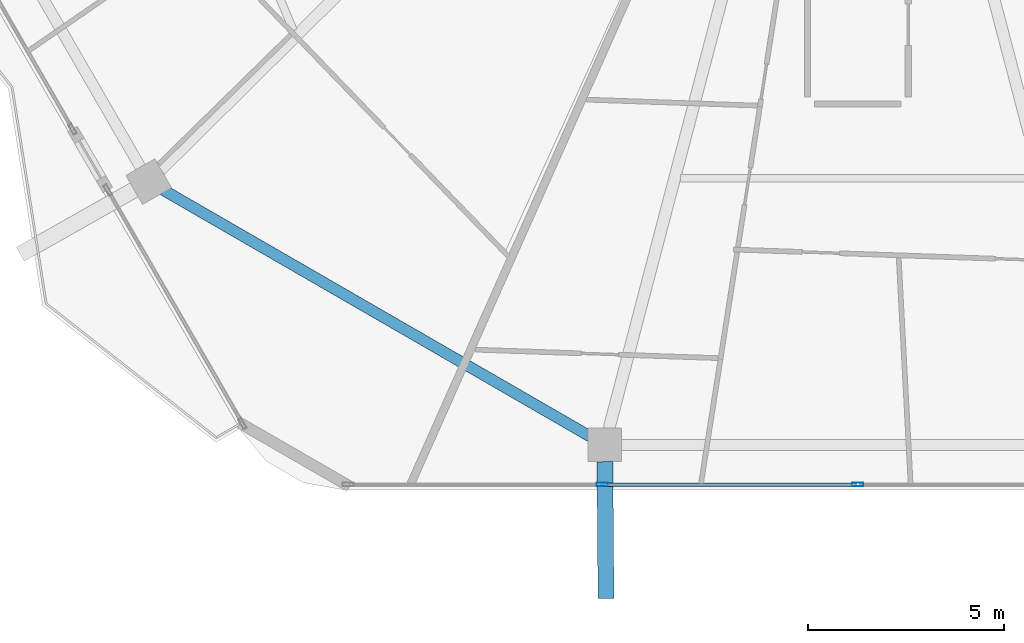
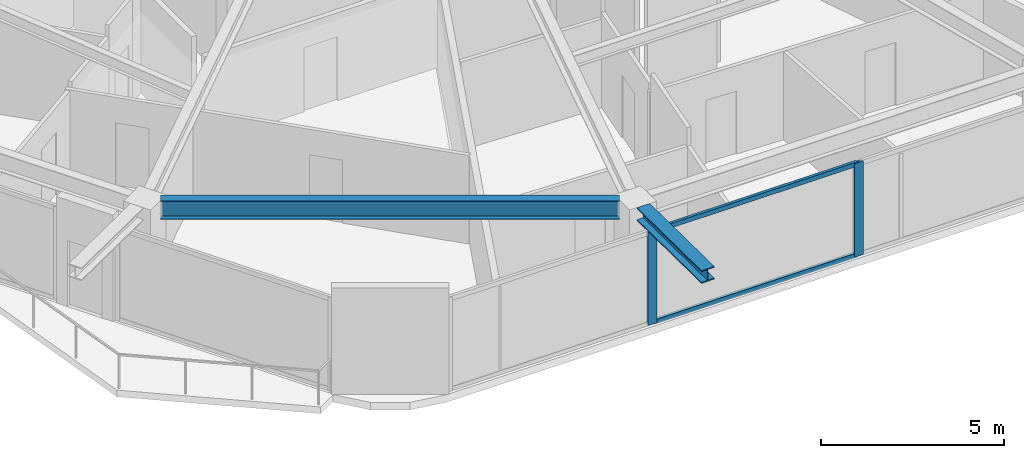
# One storey, part 3 of 26: 4 members, 2 beams, 1 element without a shape of its own.
"""IFC4 building model written with IfcOpenShell, lengths in metres."""

from ifc_helpers import new_model, si_unit, direction, frame, origin, origin_2d, place, context, subcontext, project, spatial, hollow_rectangle, i_section, extrude, material, material_profile, profile_set, type_object, element, aggregate, save


model = new_model("IFC4")

# Units and contexts
model_context = context("Model", 3, precision=1e-05, world=origin(), true_north=direction((0.0, 1.0)))
body_context = subcontext(model_context, "Body", "Model", "MODEL_VIEW")
ifc_project = project(units=[si_unit("LENGTHUNIT", "METRE"), si_unit("AREAUNIT", "SQUARE_METRE"), si_unit("VOLUMEUNIT", "CUBIC_METRE"), si_unit("PLANEANGLEUNIT", "RADIAN"), si_unit("MASSUNIT", "GRAM", prefix="KILO")], contexts=[model_context])

# Site, building, storey
site_placement = place(None, origin())
site = spatial("IfcSite", under=ifc_project, at=site_placement, CompositionType="ELEMENT")
building_placement = place(site_placement, origin())
building = spatial("IfcBuilding", under=site, at=building_placement, Name="Zuhravey Tower", CompositionType="ELEMENT")
storey_placement = place(building_placement, frame((0.0, 0.0, 295.800048828125)))
storey = spatial("IfcBuildingStorey", under=building, at=storey_placement, Name="L75", CompositionType="ELEMENT", Elevation=295.800048828125)

# Curtain wall, members
ifc_material_1 = material(Name="Thermally broken anodised aluminium", Category="aluminium")
curtain_wall_type = type_object("IfcCurtainWallType", Name="Zone 3-4 High-Rise Curtain Wall CW4", PredefinedType="NOTDEFINED", material=ifc_material_1)
curtain_wall_placement = place(storey_placement, origin())
curtain_wall = element("IfcCurtainWall", 1, at=curtain_wall_placement, inside=storey, type_object=curtain_wall_type, Name="L75 CW4 CW-L75-F5-1", PredefinedType="NOTDEFINED")
ifc_material_2 = material(Name="Anodised aluminium", Category="aluminium")
ifc_material_profile_1 = material_profile(ifc_material_2, hollow_rectangle(XDim=0.090087890625, YDim=0.284912109375, WallThickness=0.0048828125, at=origin_2d()), Name="ALU-RHS-90x285x5")
ifc_profile_set_1 = profile_set([ifc_material_profile_1], Name="Anodised aluminium")
member_type_1 = type_object("IfcMemberType", Name="Curtain-Wall Mullion 90x180", PredefinedType="MULLION", material=ifc_profile_set_1)
member_1_placement = place(storey_placement, frame((36.0, 6.436279296875, 0.0), z_axis=(0.0, 0.0, 1.0), x_axis=(0.0, -1.0, 0.0)))
member_1 = element("IfcMember", 2, at=member_1_placement, type_object=member_type_1, Name="CW4 mullion 3", PredefinedType="MULLION", context=body_context, shape_type="SweptSolid", body=[
    extrude(hollow_rectangle(XDim=0.090087890625, YDim=0.284912109375, WallThickness=0.0048828125, at=origin_2d()), origin(), (0.0, 0.0, 1.0), 3.1220703125),
])
member_2_placement = place(storey_placement, frame((29.49365234375, 6.436279296875, 0.0), z_axis=(0.0, 0.0, 1.0), x_axis=(0.0, -1.0, 0.0)))
member_2 = element("IfcMember", 3, at=member_2_placement, type_object=member_type_1, Name="CW4 mullion 4", PredefinedType="MULLION", context=body_context, shape_type="SweptSolid", body=[
    extrude(hollow_rectangle(XDim=0.090087890625, YDim=0.284912109375, WallThickness=0.0048828125, at=origin_2d()), origin(), (0.0, 0.0, 1.0), 3.1220703125),
])
ifc_material_profile_2 = material_profile(ifc_material_2, hollow_rectangle(XDim=0.090087890625, YDim=0.14990234375, WallThickness=0.0048828125, at=origin_2d()), Name="ALU-RHS-90x150x5")
ifc_profile_set_2 = profile_set([ifc_material_profile_2], Name="Anodised aluminium")
member_type_2 = type_object("IfcMemberType", Name="Curtain-Wall Transom 90x150", PredefinedType="USERDEFINED", material=ifc_profile_set_2)
member_3_placement = place(storey_placement, frame((35.955078125, 6.436279296875, 0.044921875), z_axis=(-1.0, 0.0, 0.0), x_axis=(0.0, -1.0, 0.0)))
member_3 = element("IfcMember", 4, at=member_3_placement, type_object=member_type_2, Name="CW4 transom 3.1", ObjectType="TRANSOM", PredefinedType="USERDEFINED", context=body_context, shape_type="SweptSolid", body=[
    extrude(hollow_rectangle(XDim=0.090087890625, YDim=0.14990234375, WallThickness=0.0048828125, at=origin_2d()), origin(), (0.0, 0.0, 1.0), 6.41650390625),
])
member_4_placement = place(storey_placement, frame((35.955078125, 6.436279296875, 3.076904296875), z_axis=(-1.0, 0.0, 0.0), x_axis=(0.0, -1.0, 0.0)))
member_4 = element("IfcMember", 5, at=member_4_placement, type_object=member_type_2, Name="CW4 transom 3.2", ObjectType="TRANSOM", PredefinedType="USERDEFINED", context=body_context, shape_type="SweptSolid", body=[
    extrude(hollow_rectangle(XDim=0.090087890625, YDim=0.14990234375, WallThickness=0.0048828125, at=origin_2d()), origin(), (0.0, 0.0, 1.0), 6.41650390625),
])
aggregate(curtain_wall, [member_1, member_2, member_3, member_4])

# Beams
ifc_material_3 = material(Name="Steel SM460", Category="steel")
ifc_material_profile_3 = material_profile(ifc_material_3, i_section(OverallWidth=0.406982421875, OverallDepth=0.427978515625, WebThickness=0.02001953125, FlangeThickness=0.034912109375, at=origin_2d()), Name="H-428x407x20x35")
ifc_profile_set_3 = profile_set([ifc_material_profile_3], Name="Steel SM460")
beam_type_1 = type_object("IfcBeamType", Name="Exoskeleton Node Tie Beam H428x407", PredefinedType="BEAM", material=ifc_profile_set_3)
beam_1_placement = place(storey_placement, frame((29.562744140625, 7.017333984375, 3.3359375), z_axis=(0.008498674591, -0.999963885613, 0.0), x_axis=(0.999963885613, 0.008498674591, 0.0)))
element("IfcBeam", 6, at=beam_1_placement, inside=storey, type_object=beam_type_1, Name="L75 Exoskeleton Node Tie NT1-09", PredefinedType="BEAM", context=body_context, shape_type="SweptSolid", body=[
    extrude(i_section(OverallWidth=0.406982421875, OverallDepth=0.427978515625, WebThickness=0.02001953125, FlangeThickness=0.034912109375, at=origin_2d()), origin(), (0.0, 0.0, 1.0), 3.47607421875),
])
ifc_material_4 = material(Name="Steel SM355", Category="steel")
ifc_material_profile_4 = material_profile(ifc_material_4, i_section(OverallWidth=0.280029296875, OverallDepth=0.6201171875, WebThickness=0.011962890625, FlangeThickness=0.02001953125, at=origin_2d()), Name="H-620x280x12x20")
ifc_profile_set_4 = profile_set([ifc_material_profile_4], Name="Steel SM355")
beam_type_2 = type_object("IfcBeamType", Name="Perimeter Ring Beam H620x280", PredefinedType="BEAM", material=ifc_profile_set_4)
beam_2_placement = place(storey_placement, frame((18.3271484375, 13.931396484375, 3.239990234375), z_axis=(0.866018312875, -0.500012281615, 0.0), x_axis=(0.500012281615, 0.866018312875, 0.0)))
element("IfcBeam", 7, at=beam_2_placement, inside=storey, type_object=beam_type_2, Name="L75 PB3 BM-L75-PB-08", PredefinedType="BEAM", context=body_context, shape_type="SweptSolid", body=[
    extrude(i_section(OverallWidth=0.280029296875, OverallDepth=0.6201171875, WebThickness=0.011962890625, FlangeThickness=0.02001953125, at=origin_2d()), origin(), (0.0, 0.0, 1.0), 12.541748046875),
])

save(model, "model.ifc")
